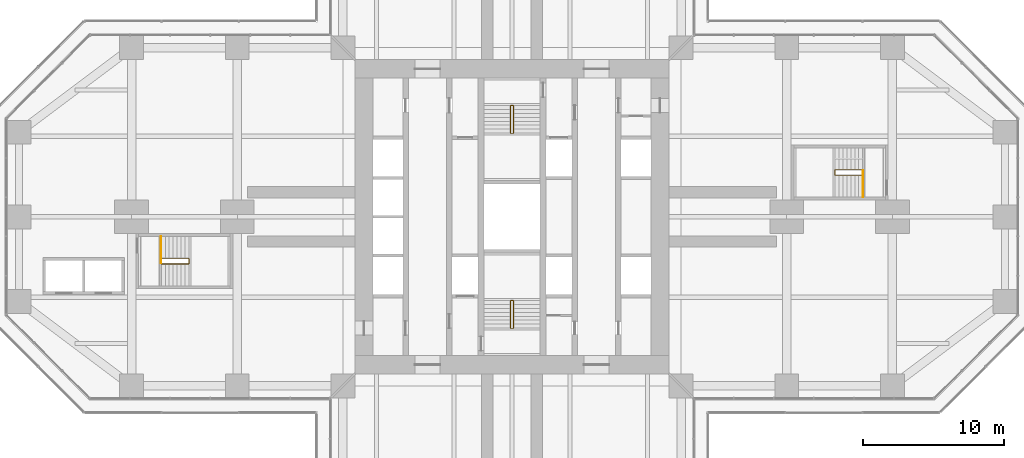
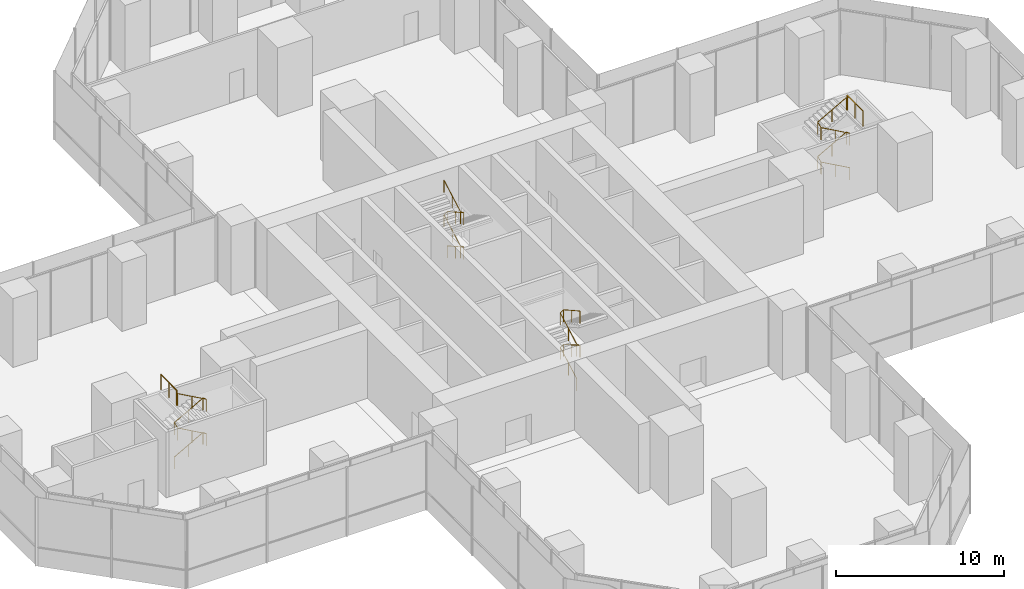
# One storey, part 23 of 23: 6 railings.
"""IFC4 building model written with IfcOpenShell, lengths in metres."""

import ifcopenshell
import ifcopenshell.guid

model = None  # the IFC model being written
_history = None  # IfcOwnerHistory: only IFC2X3 demands one
_inside = {}  # id of a spatial element -> (the spatial element, [elements in it])
_under = {}  # id of a project, library or spatial element -> (it, [spatial elements below it])
_declared = {}  # id of a project -> (the project, [libraries it declares])
_typed = {}  # id of a type object -> (the type object, [elements of that type])
_made_of = {}  # id of a material, layer set ... -> (it, [elements and type objects made of it])


def new_model(schema):
    """Start an empty IFC model of exactly this schema.

    Asked for "IFC4X3", IfcOpenShell would pick the latest addendum, in which some entities
    have other attributes; the version numbers below select the first issue.
    IFC2X3 requires an IfcOwnerHistory on every rooted entity: one is made here for all.
    """
    global model, _history
    if schema == "IFC4X3":
        model = ifcopenshell.file(schema_version=(4, 3, 0, 0))
    else:
        model = ifcopenshell.file(schema=schema)
    _inside.clear()
    _under.clear()
    _declared.clear()
    _typed.clear()
    _made_of.clear()
    _history = None
    if model.schema == "IFC2X3":
        org = make("IfcOrganization", Name="unknown")
        user = make(
            "IfcPersonAndOrganization",
            ThePerson=make("IfcPerson", FamilyName="unknown"),
            TheOrganization=org,
        )
        app = make(
            "IfcApplication",
            ApplicationDeveloper=org,
            Version="unknown",
            ApplicationFullName="unknown",
            ApplicationIdentifier="unknown",
        )
        _history = make(
            "IfcOwnerHistory",
            OwningUser=user,
            OwningApplication=app,
            ChangeAction="ADDED",
            CreationDate=0,
        )
    return model


def make(cls, **values):
    """One entity of the class cls with the attributes given. An attribute that is None is left unset."""
    return model.create_entity(
        cls, **{name: value for name, value in values.items() if value is not None}
    )


def rooted(cls, **values):
    """An entity with a GlobalId (a new one), such as an element, a storey or a relation."""
    return make(cls, GlobalId=ifcopenshell.guid.new(), OwnerHistory=_history, **values)


def si_unit(unit_type, name, prefix=None):
    """IfcSIUnit, for example si_unit("LENGTHUNIT", "METRE", prefix="MILLI")."""
    return make("IfcSIUnit", UnitType=unit_type, Prefix=prefix, Name=name)


def assignment(units):
    """IfcUnitAssignment: the units of a project."""
    return None if units is None else make("IfcUnitAssignment", Units=units)


def point(xyz):
    """IfcCartesianPoint."""
    return None if xyz is None else make("IfcCartesianPoint", Coordinates=xyz)


def direction(xyz):
    """IfcDirection."""
    return None if xyz is None else make("IfcDirection", DirectionRatios=xyz)


def frame(location, z_axis=None, x_axis=None):
    """IfcAxis2Placement3D, a coordinate frame: its origin and axes. An axis left out is left unset."""
    return make(
        "IfcAxis2Placement3D",
        Location=point(location),
        Axis=direction(z_axis),
        RefDirection=direction(x_axis),
    )


def frame_2d(location, x_axis=None):
    """IfcAxis2Placement2D, a coordinate frame in the plane: its origin and x axis."""
    return make(
        "IfcAxis2Placement2D", Location=point(location), RefDirection=direction(x_axis)
    )


def origin():
    """The frame at (0, 0, 0) with its axes left unset."""
    return frame((0.0, 0.0, 0.0))


def origin_2d():
    """The frame at (0, 0) in the plane with its x axis left unset."""
    return frame_2d((0.0, 0.0))


def place(relative_to, where):
    """IfcLocalPlacement: puts the frame where relative to a parent placement (None: the world)."""
    return make(
        "IfcLocalPlacement", PlacementRelTo=relative_to, RelativePlacement=where
    )


def context(
    kind, dimensions, precision=None, world=None, true_north=None, identifier=None
):
    """IfcGeometricRepresentationContext, for example the 3D "Model" context."""
    return make(
        "IfcGeometricRepresentationContext",
        ContextIdentifier=identifier,
        ContextType=kind,
        CoordinateSpaceDimension=dimensions,
        Precision=precision,
        WorldCoordinateSystem=world,
        TrueNorth=true_north,
    )


def subcontext(parent, identifier, kind, view, scale=None):
    """IfcGeometricRepresentationSubContext, for example "Body" below "Model"."""
    return make(
        "IfcGeometricRepresentationSubContext",
        ContextIdentifier=identifier,
        ContextType=kind,
        ParentContext=parent,
        TargetScale=scale,
        TargetView=view,
    )


def project(units=None, contexts=None):
    """IfcProject with its units and contexts."""
    return rooted(
        "IfcProject",
        Name="project",
        RepresentationContexts=contexts,
        UnitsInContext=assignment(units),
    )


def spatial(cls, under=None, at=None, **own):
    """A site, building, storey or space (cls), placed at a placement, below another one or the project."""
    s = rooted(cls, ObjectPlacement=at, **own)
    if under is not None:
        _under.setdefault(under.id(), (under, []))[1].append(s)
    return s


def profile(cls, at=None, kind="AREA", **sizes):
    """A parametric profile (cls). Its sizes go by their IFC names, for example OverallWidth=200.0."""
    return make(cls, ProfileType=kind, Position=at, **sizes)


def circle(**sizes):
    """IfcCircleProfileDef."""
    return profile("IfcCircleProfileDef", **sizes)


def extrude(swept, where, along, depth):
    """IfcExtrudedAreaSolid: the profile swept, set in the frame where, extruded along a direction by depth."""
    return make(
        "IfcExtrudedAreaSolid",
        SweptArea=swept,
        Position=where,
        ExtrudedDirection=direction(along),
        Depth=depth,
    )


def shape(context_of_items, identifier, shape_type, items):
    """IfcShapeRepresentation: the items that make up one representation, for example the "Body"."""
    return make(
        "IfcShapeRepresentation",
        ContextOfItems=context_of_items,
        RepresentationIdentifier=identifier,
        RepresentationType=shape_type,
        Items=items,
    )


def material(Name=None, Category=None):
    """IfcMaterial."""
    return make("IfcMaterial", Name=Name, Category=Category)


def made_of(thing, what):
    """Note that an element or type object is made of a material, layer set ...; save() writes the relation."""
    if what is not None:
        _made_of.setdefault(what.id(), (what, []))[1].append(thing)
    return thing


def type_object(cls, material=None, **own):
    """A type object (cls), such as IfcWallType, which elements share."""
    return made_of(rooted(cls, **own), material)


def element(
    cls,
    number,
    at=None,
    inside=None,
    cuts=None,
    type_object=None,
    material=None,
    context=None,
    identifier="Body",
    shape_type=None,
    held_by="IfcProductDefinitionShape",
    body=None,
    shapes=None,
    **own,
):
    """One element of the class cls, such as IfcWall. Its Tag is "e" and its number.

    at: its placement. inside: the storey or other place that contains it. cuts: it is an
    opening in that element (IfcRelVoidsElement). A single representation is given by context,
    identifier, shape_type and body (its items); several are given by shapes. held_by: the class
    of the entity that holds the representations. save() writes the other relations.
    """
    e = rooted(cls, Tag="e%d" % number, ObjectPlacement=at, **own)
    if body is not None:
        shapes = [shape(context, identifier, shape_type, body)]
    if shapes is not None:
        e.Representation = make(held_by, Representations=shapes)
    if inside is not None:
        _inside.setdefault(inside.id(), (inside, []))[1].append(e)
    if cuts is not None:
        rooted(
            "IfcRelVoidsElement", RelatingBuildingElement=cuts, RelatedOpeningElement=e
        )
    if type_object is not None:
        _typed.setdefault(type_object.id(), (type_object, []))[1].append(e)
    return made_of(e, material)


def aggregate(whole, parts):
    """IfcRelAggregates: a whole, such as a stair, and the parts it consists of."""
    return rooted("IfcRelAggregates", RelatingObject=whole, RelatedObjects=parts)


def save(model, path):
    """Write the relations noted so far, then the file.

    IfcRelAggregates (storeys below a building ...), IfcRelContainedInSpatialStructure (elements
    in a storey), IfcRelDefinesByType, IfcRelAssociatesMaterial and IfcRelDeclares: one each for
    every whole, place, type object, material and project.
    """
    for whole, parts in _under.values():
        aggregate(whole, parts)
    for where, things in _inside.values():
        rooted(
            "IfcRelContainedInSpatialStructure",
            RelatedElements=things,
            RelatingStructure=where,
        )
    for kind, things in _typed.values():
        rooted("IfcRelDefinesByType", RelatedObjects=things, RelatingType=kind)
    for what, things in _made_of.values():
        rooted("IfcRelAssociatesMaterial", RelatedObjects=things, RelatingMaterial=what)
    for by, libraries in _declared.values():
        rooted("IfcRelDeclares", RelatingContext=by, RelatedDefinitions=libraries)
    model.write(path)


model = new_model("IFC4")

# Units and contexts
model_context = context("Model", 3, precision=1e-05, world=origin(), true_north=direction((0.0, 1.0)))
body_context = subcontext(model_context, "Body", "Model", "MODEL_VIEW")
ifc_project = project(units=[si_unit("LENGTHUNIT", "METRE"), si_unit("AREAUNIT", "SQUARE_METRE"), si_unit("VOLUMEUNIT", "CUBIC_METRE"), si_unit("PLANEANGLEUNIT", "RADIAN"), si_unit("MASSUNIT", "GRAM", prefix="KILO")], contexts=[model_context])

# Site, building, storey
site_placement = place(None, origin())
site = spatial("IfcSite", under=ifc_project, at=site_placement, CompositionType="ELEMENT")
building_placement = place(site_placement, origin())
building = spatial("IfcBuilding", under=site, at=building_placement, Name="Mizan Broadcast Tower", CompositionType="ELEMENT")
storey_placement = place(building_placement, frame((0.0, 0.0, 28.0)))
storey = spatial("IfcBuildingStorey", under=building, at=storey_placement, Name="L04", CompositionType="ELEMENT", Elevation=28.0)

# Railings
ifc_material_1 = material(Name="Stainless steel and glass guard", Category="steel")
railing_type_1 = type_object("IfcRailingType", Name="GUARD 1100", PredefinedType="GUARDRAIL", material=ifc_material_1)
railing_1_placement = place(storey_placement, frame((24.919921875, 1.39990234375, 5.0)))
element("IfcRailing", 1, at=railing_1_placement, inside=storey, type_object=railing_type_1, Name="Stair C top landing guard", PredefinedType="GUARDRAIL", context=body_context, shape_type="SweptSolid", body=[
    extrude(circle(Radius=0.02392578125, at=origin_2d()), frame((0.0, 0.0, 1.076171875), z_axis=(0.0, 1.0, 0.0), x_axis=(-1.0, 0.0, 0.0)), (0.0, 0.0, 1.0), 1.89013671875),
    extrude(circle(Radius=0.02099609375, at=origin_2d()), origin(), (0.0, 0.0, 1.0), 1.052001953125),
    extrude(circle(Radius=0.02099609375, at=origin_2d()), frame((0.0, 0.945068359375, 0.0)), (0.0, 0.0, 1.0), 1.052001953125),
    extrude(circle(Radius=0.02099609375, at=origin_2d()), frame((0.0, 1.89013671875, 0.0)), (0.0, 0.0, 1.0), 1.052001953125),
])
railing_2_placement = place(storey_placement, frame((-24.919921875, -1.39990234375, 5.0)))
element("IfcRailing", 2, at=railing_2_placement, inside=storey, type_object=railing_type_1, Name="Stair D top landing guard", PredefinedType="GUARDRAIL", context=body_context, shape_type="SweptSolid", body=[
    extrude(circle(Radius=0.02392578125, at=origin_2d()), frame((0.0, 0.0, 1.076171875), z_axis=(0.0, -1.0, 0.0), x_axis=(1.0, 0.0, 0.0)), (0.0, 0.0, 1.0), 1.89013671875),
    extrude(circle(Radius=0.02099609375, at=origin_2d()), origin(), (0.0, 0.0, 1.0), 1.052001953125),
    extrude(circle(Radius=0.02099609375, at=origin_2d()), frame((0.0, -0.945068359375, 0.0)), (0.0, 0.0, 1.0), 1.052001953125),
    extrude(circle(Radius=0.02099609375, at=origin_2d()), frame((0.0, -1.89013671875, 0.0)), (0.0, 0.0, 1.0), 1.052001953125),
])
ifc_material_2 = material(Name="Stainless steel", Category="steel")
railing_type_2 = type_object("IfcRailingType", Name="HANDRAIL 50", PredefinedType="HANDRAIL", material=ifc_material_2)
railing_3_placement = place(storey_placement, frame((-0.110107421875, -7.89990234375, 0.15625)))
element("IfcRailing", 3, at=railing_3_placement, inside=storey, type_object=railing_type_2, Name="Stair A handrail", PredefinedType="HANDRAIL", context=body_context, shape_type="SweptSolid", body=[
    extrude(circle(Radius=0.02392578125, at=origin_2d()), frame((0.0, 0.0, 0.8759765625), z_axis=(0.0, 0.873232148454, 0.487304437602), x_axis=(-1.0, 0.0, 0.0)), (0.0, 0.0, 1.0), 2.244384765625),
    extrude(circle(Radius=0.02392578125, at=origin_2d()), frame((0.0, 1.9599609375, 1.9697265625), z_axis=(0.815562204743, 0.0, 0.578669413565), x_axis=(0.0, 1.0, 0.0)), (0.0, 0.0, 1.0), 0.27001953125),
    extrude(circle(Radius=0.02392578125, at=origin_2d()), frame((0.22021484375, 1.9599609375, 2.1259765625), z_axis=(0.0, -0.873232148454, 0.487304437602), x_axis=(1.0, 0.0, 0.0)), (0.0, 0.0, 1.0), 2.244384765625),
    extrude(circle(Radius=0.02392578125, at=origin_2d()), frame((0.22021484375, 0.0, 3.2197265625), z_axis=(-0.815562204743, 0.0, 0.578669413565), x_axis=(0.0, -1.0, 0.0)), (0.0, 0.0, 1.0), 0.27001953125),
    extrude(circle(Radius=0.02392578125, at=origin_2d()), frame((0.0, 0.0, 3.3759765625), z_axis=(0.0, 0.873232148454, 0.487304437602), x_axis=(-1.0, 0.0, 0.0)), (0.0, 0.0, 1.0), 2.244384765625),
    extrude(circle(Radius=0.02392578125, at=origin_2d()), frame((0.0, 1.9599609375, 4.4697265625), z_axis=(0.815562204743, 0.0, 0.578669413565), x_axis=(0.0, 1.0, 0.0)), (0.0, 0.0, 1.0), 0.27001953125),
    extrude(circle(Radius=0.02392578125, at=origin_2d()), frame((0.22021484375, 1.9599609375, 4.6259765625), z_axis=(0.0, -0.873232148454, 0.487304437602), x_axis=(1.0, 0.0, 0.0)), (0.0, 0.0, 1.0), 2.244384765625),
    extrude(circle(Radius=0.02099609375, at=origin_2d()), origin(), (0.0, 0.0, 1.0), 0.851806640625),
    extrude(circle(Radius=0.02099609375, at=origin_2d()), frame((0.0, 0.97998046875, 0.546875)), (0.0, 0.0, 1.0), 0.851806640625),
    extrude(circle(Radius=0.02099609375, at=origin_2d()), frame((0.0, 1.9599609375, 1.09375)), (0.0, 0.0, 1.0), 0.851806640625),
    extrude(circle(Radius=0.02099609375, at=origin_2d()), frame((0.22021484375, 1.9599609375, 1.25)), (0.0, 0.0, 1.0), 0.851806640625),
    extrude(circle(Radius=0.02099609375, at=origin_2d()), frame((0.22021484375, 0.97998046875, 1.796875)), (0.0, 0.0, 1.0), 0.851806640625),
    extrude(circle(Radius=0.02099609375, at=origin_2d()), frame((0.22021484375, 0.0, 2.34375)), (0.0, 0.0, 1.0), 0.851806640625),
    extrude(circle(Radius=0.02099609375, at=origin_2d()), frame((0.0, 0.0, 2.5)), (0.0, 0.0, 1.0), 0.851806640625),
    extrude(circle(Radius=0.02099609375, at=origin_2d()), frame((0.0, 0.97998046875, 3.046875)), (0.0, 0.0, 1.0), 0.851806640625),
    extrude(circle(Radius=0.02099609375, at=origin_2d()), frame((0.0, 1.9599609375, 3.59375)), (0.0, 0.0, 1.0), 0.851806640625),
    extrude(circle(Radius=0.02099609375, at=origin_2d()), frame((0.22021484375, 1.9599609375, 3.75)), (0.0, 0.0, 1.0), 0.851806640625),
    extrude(circle(Radius=0.02099609375, at=origin_2d()), frame((0.22021484375, 0.97998046875, 4.296875)), (0.0, 0.0, 1.0), 0.851806640625),
    extrude(circle(Radius=0.02099609375, at=origin_2d()), frame((0.22021484375, 0.0, 4.84375)), (0.0, 0.0, 1.0), 0.851806640625),
])
railing_4_placement = place(storey_placement, frame((0.110107421875, 7.89990234375, 0.15625)))
element("IfcRailing", 4, at=railing_4_placement, inside=storey, type_object=railing_type_2, Name="Stair B handrail", PredefinedType="HANDRAIL", context=body_context, shape_type="SweptSolid", body=[
    extrude(circle(Radius=0.02392578125, at=origin_2d()), frame((0.0, 0.0, 0.8759765625), z_axis=(0.0, -0.873232148454, 0.487304437602), x_axis=(1.0, 0.0, 0.0)), (0.0, 0.0, 1.0), 2.244384765625),
    extrude(circle(Radius=0.02392578125, at=origin_2d()), frame((0.0, -1.9599609375, 1.9697265625), z_axis=(-0.815562204743, 0.0, 0.578669413565), x_axis=(0.0, -1.0, 0.0)), (0.0, 0.0, 1.0), 0.27001953125),
    extrude(circle(Radius=0.02392578125, at=origin_2d()), frame((-0.22021484375, -1.9599609375, 2.1259765625), z_axis=(0.0, 0.873232148454, 0.487304437602), x_axis=(-1.0, 0.0, 0.0)), (0.0, 0.0, 1.0), 2.244384765625),
    extrude(circle(Radius=0.02392578125, at=origin_2d()), frame((-0.22021484375, 0.0, 3.2197265625), z_axis=(0.815562204743, 0.0, 0.578669413565), x_axis=(0.0, 1.0, 0.0)), (0.0, 0.0, 1.0), 0.27001953125),
    extrude(circle(Radius=0.02392578125, at=origin_2d()), frame((0.0, 0.0, 3.3759765625), z_axis=(0.0, -0.873232148454, 0.487304437602), x_axis=(1.0, 0.0, 0.0)), (0.0, 0.0, 1.0), 2.244384765625),
    extrude(circle(Radius=0.02392578125, at=origin_2d()), frame((0.0, -1.9599609375, 4.4697265625), z_axis=(-0.815562204743, 0.0, 0.578669413565), x_axis=(0.0, -1.0, 0.0)), (0.0, 0.0, 1.0), 0.27001953125),
    extrude(circle(Radius=0.02392578125, at=origin_2d()), frame((-0.22021484375, -1.9599609375, 4.6259765625), z_axis=(0.0, 0.873232148454, 0.487304437602), x_axis=(-1.0, 0.0, 0.0)), (0.0, 0.0, 1.0), 2.244384765625),
    extrude(circle(Radius=0.02099609375, at=origin_2d()), origin(), (0.0, 0.0, 1.0), 0.851806640625),
    extrude(circle(Radius=0.02099609375, at=origin_2d()), frame((0.0, -0.97998046875, 0.546875)), (0.0, 0.0, 1.0), 0.851806640625),
    extrude(circle(Radius=0.02099609375, at=origin_2d()), frame((0.0, -1.9599609375, 1.09375)), (0.0, 0.0, 1.0), 0.851806640625),
    extrude(circle(Radius=0.02099609375, at=origin_2d()), frame((-0.22021484375, -1.9599609375, 1.25)), (0.0, 0.0, 1.0), 0.851806640625),
    extrude(circle(Radius=0.02099609375, at=origin_2d()), frame((-0.22021484375, -0.97998046875, 1.796875)), (0.0, 0.0, 1.0), 0.851806640625),
    extrude(circle(Radius=0.02099609375, at=origin_2d()), frame((-0.22021484375, 0.0, 2.34375)), (0.0, 0.0, 1.0), 0.851806640625),
    extrude(circle(Radius=0.02099609375, at=origin_2d()), frame((0.0, 0.0, 2.5)), (0.0, 0.0, 1.0), 0.851806640625),
    extrude(circle(Radius=0.02099609375, at=origin_2d()), frame((0.0, -0.97998046875, 3.046875)), (0.0, 0.0, 1.0), 0.851806640625),
    extrude(circle(Radius=0.02099609375, at=origin_2d()), frame((0.0, -1.9599609375, 3.59375)), (0.0, 0.0, 1.0), 0.851806640625),
    extrude(circle(Radius=0.02099609375, at=origin_2d()), frame((-0.22021484375, -1.9599609375, 3.75)), (0.0, 0.0, 1.0), 0.851806640625),
    extrude(circle(Radius=0.02099609375, at=origin_2d()), frame((-0.22021484375, -0.97998046875, 4.296875)), (0.0, 0.0, 1.0), 0.851806640625),
    extrude(circle(Radius=0.02099609375, at=origin_2d()), frame((-0.22021484375, 0.0, 4.84375)), (0.0, 0.0, 1.0), 0.851806640625),
])
railing_5_placement = place(storey_placement, frame((24.889892578125, 2.949951171875, 0.15625)))
element("IfcRailing", 5, at=railing_5_placement, inside=storey, type_object=railing_type_2, Name="Stair C handrail", PredefinedType="HANDRAIL", context=body_context, shape_type="SweptSolid", body=[
    extrude(circle(Radius=0.02392578125, at=origin_2d()), frame((0.0, 0.0, 0.8759765625), z_axis=(-0.873232148454, 0.0, 0.487304437602), x_axis=(0.0, -1.0, 0.0)), (0.0, 0.0, 1.0), 2.244384765625),
    extrude(circle(Radius=0.02392578125, at=origin_2d()), frame((-1.9599609375, 0.0, 1.9697265625), z_axis=(0.0, 0.931502486549, 0.363734955089), x_axis=(-1.0, 0.0, 0.0)), (0.0, 0.0, 1.0), 0.4296875),
    extrude(circle(Radius=0.02392578125, at=origin_2d()), frame((-1.9599609375, 0.400146484375, 2.1259765625), z_axis=(0.873232148454, 0.0, 0.487304437602), x_axis=(0.0, 1.0, 0.0)), (0.0, 0.0, 1.0), 2.244384765625),
    extrude(circle(Radius=0.02392578125, at=origin_2d()), frame((0.0, 0.400146484375, 3.2197265625), z_axis=(0.0, -0.931502486549, 0.363734955089), x_axis=(1.0, 0.0, 0.0)), (0.0, 0.0, 1.0), 0.4296875),
    extrude(circle(Radius=0.02392578125, at=origin_2d()), frame((0.0, 0.0, 3.3759765625), z_axis=(-0.873232148454, 0.0, 0.487304437602), x_axis=(0.0, -1.0, 0.0)), (0.0, 0.0, 1.0), 2.244384765625),
    extrude(circle(Radius=0.02392578125, at=origin_2d()), frame((-1.9599609375, 0.0, 4.4697265625), z_axis=(0.0, 0.931502486549, 0.363734955089), x_axis=(-1.0, 0.0, 0.0)), (0.0, 0.0, 1.0), 0.4296875),
    extrude(circle(Radius=0.02392578125, at=origin_2d()), frame((-1.9599609375, 0.400146484375, 4.6259765625), z_axis=(0.873232148454, 0.0, 0.487304437602), x_axis=(0.0, 1.0, 0.0)), (0.0, 0.0, 1.0), 2.244384765625),
    extrude(circle(Radius=0.02099609375, at=origin_2d()), origin(), (0.0, 0.0, 1.0), 0.851806640625),
    extrude(circle(Radius=0.02099609375, at=origin_2d()), frame((-0.97998046875, 0.0, 0.546875)), (0.0, 0.0, 1.0), 0.851806640625),
    extrude(circle(Radius=0.02099609375, at=origin_2d()), frame((-1.9599609375, 0.0, 1.09375)), (0.0, 0.0, 1.0), 0.851806640625),
    extrude(circle(Radius=0.02099609375, at=origin_2d()), frame((-1.9599609375, 0.400146484375, 1.25)), (0.0, 0.0, 1.0), 0.851806640625),
    extrude(circle(Radius=0.02099609375, at=origin_2d()), frame((-0.97998046875, 0.400146484375, 1.796875)), (0.0, 0.0, 1.0), 0.851806640625),
    extrude(circle(Radius=0.02099609375, at=origin_2d()), frame((0.0, 0.400146484375, 2.34375)), (0.0, 0.0, 1.0), 0.851806640625),
    extrude(circle(Radius=0.02099609375, at=origin_2d()), frame((0.0, 0.0, 2.5)), (0.0, 0.0, 1.0), 0.851806640625),
    extrude(circle(Radius=0.02099609375, at=origin_2d()), frame((-0.97998046875, 0.0, 3.046875)), (0.0, 0.0, 1.0), 0.851806640625),
    extrude(circle(Radius=0.02099609375, at=origin_2d()), frame((-1.9599609375, 0.0, 3.59375)), (0.0, 0.0, 1.0), 0.851806640625),
    extrude(circle(Radius=0.02099609375, at=origin_2d()), frame((-1.9599609375, 0.400146484375, 3.75)), (0.0, 0.0, 1.0), 0.851806640625),
    extrude(circle(Radius=0.02099609375, at=origin_2d()), frame((-0.97998046875, 0.400146484375, 4.296875)), (0.0, 0.0, 1.0), 0.851806640625),
    extrude(circle(Radius=0.02099609375, at=origin_2d()), frame((0.0, 0.400146484375, 4.84375)), (0.0, 0.0, 1.0), 0.851806640625),
])
railing_6_placement = place(storey_placement, frame((-24.889892578125, -2.949951171875, 0.15625)))
element("IfcRailing", 6, at=railing_6_placement, inside=storey, type_object=railing_type_2, Name="Stair D handrail", PredefinedType="HANDRAIL", context=body_context, shape_type="SweptSolid", body=[
    extrude(circle(Radius=0.02392578125, at=origin_2d()), frame((0.0, 0.0, 0.8759765625), z_axis=(0.873232148454, 0.0, 0.487304437602), x_axis=(0.0, 1.0, 0.0)), (0.0, 0.0, 1.0), 2.244384765625),
    extrude(circle(Radius=0.02392578125, at=origin_2d()), frame((1.9599609375, 0.0, 1.9697265625), z_axis=(0.0, -0.931502486549, 0.363734955089), x_axis=(1.0, 0.0, 0.0)), (0.0, 0.0, 1.0), 0.4296875),
    extrude(circle(Radius=0.02392578125, at=origin_2d()), frame((1.9599609375, -0.400146484375, 2.1259765625), z_axis=(-0.873232148454, 0.0, 0.487304437602), x_axis=(0.0, -1.0, 0.0)), (0.0, 0.0, 1.0), 2.244384765625),
    extrude(circle(Radius=0.02392578125, at=origin_2d()), frame((0.0, -0.400146484375, 3.2197265625), z_axis=(0.0, 0.931502486549, 0.363734955089), x_axis=(-1.0, 0.0, 0.0)), (0.0, 0.0, 1.0), 0.4296875),
    extrude(circle(Radius=0.02392578125, at=origin_2d()), frame((0.0, 0.0, 3.3759765625), z_axis=(0.873232148454, 0.0, 0.487304437602), x_axis=(0.0, 1.0, 0.0)), (0.0, 0.0, 1.0), 2.244384765625),
    extrude(circle(Radius=0.02392578125, at=origin_2d()), frame((1.9599609375, 0.0, 4.4697265625), z_axis=(0.0, -0.931502486549, 0.363734955089), x_axis=(1.0, 0.0, 0.0)), (0.0, 0.0, 1.0), 0.4296875),
    extrude(circle(Radius=0.02392578125, at=origin_2d()), frame((1.9599609375, -0.400146484375, 4.6259765625), z_axis=(-0.873232148454, 0.0, 0.487304437602), x_axis=(0.0, -1.0, 0.0)), (0.0, 0.0, 1.0), 2.244384765625),
    extrude(circle(Radius=0.02099609375, at=origin_2d()), origin(), (0.0, 0.0, 1.0), 0.851806640625),
    extrude(circle(Radius=0.02099609375, at=origin_2d()), frame((0.97998046875, 0.0, 0.546875)), (0.0, 0.0, 1.0), 0.851806640625),
    extrude(circle(Radius=0.02099609375, at=origin_2d()), frame((1.9599609375, 0.0, 1.09375)), (0.0, 0.0, 1.0), 0.851806640625),
    extrude(circle(Radius=0.02099609375, at=origin_2d()), frame((1.9599609375, -0.400146484375, 1.25)), (0.0, 0.0, 1.0), 0.851806640625),
    extrude(circle(Radius=0.02099609375, at=origin_2d()), frame((0.97998046875, -0.400146484375, 1.796875)), (0.0, 0.0, 1.0), 0.851806640625),
    extrude(circle(Radius=0.02099609375, at=origin_2d()), frame((0.0, -0.400146484375, 2.34375)), (0.0, 0.0, 1.0), 0.851806640625),
    extrude(circle(Radius=0.02099609375, at=origin_2d()), frame((0.0, 0.0, 2.5)), (0.0, 0.0, 1.0), 0.851806640625),
    extrude(circle(Radius=0.02099609375, at=origin_2d()), frame((0.97998046875, 0.0, 3.046875)), (0.0, 0.0, 1.0), 0.851806640625),
    extrude(circle(Radius=0.02099609375, at=origin_2d()), frame((1.9599609375, 0.0, 3.59375)), (0.0, 0.0, 1.0), 0.851806640625),
    extrude(circle(Radius=0.02099609375, at=origin_2d()), frame((1.9599609375, -0.400146484375, 3.75)), (0.0, 0.0, 1.0), 0.851806640625),
    extrude(circle(Radius=0.02099609375, at=origin_2d()), frame((0.97998046875, -0.400146484375, 4.296875)), (0.0, 0.0, 1.0), 0.851806640625),
    extrude(circle(Radius=0.02099609375, at=origin_2d()), frame((0.0, -0.400146484375, 4.84375)), (0.0, 0.0, 1.0), 0.851806640625),
])

save(model, "model.ifc")
